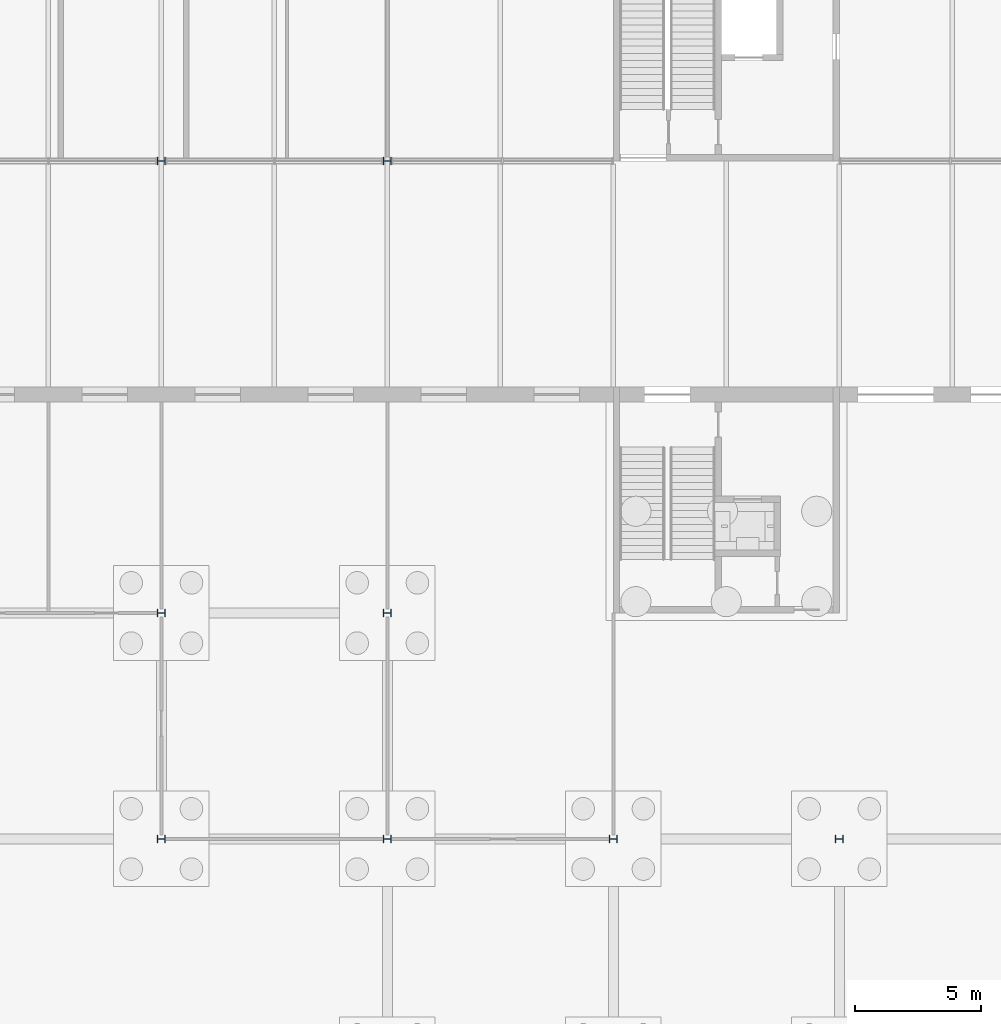
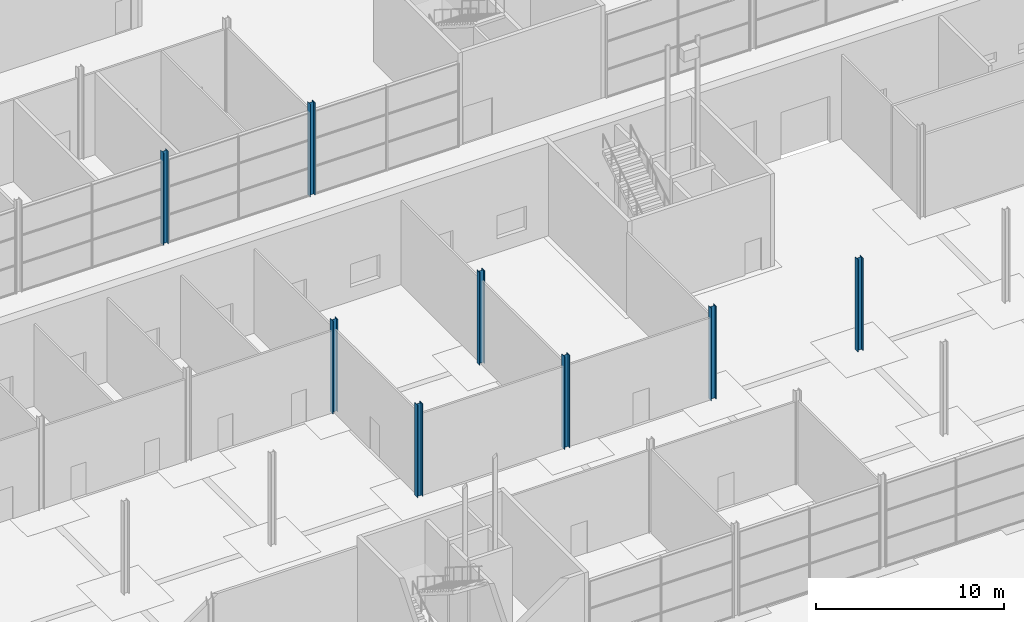
# One storey, part 19 of 97: 8 columns.
"""IFC4 building model written with IfcOpenShell, lengths in metres."""

from ifc_helpers import new_model, si_unit, direction, frame, origin, origin_2d, place, context, subcontext, project, spatial, i_section, extrude, material, material_profile, profile_set, type_object, element, save


model = new_model("IFC4")

# Units and contexts
model_context = context("Model", 3, precision=1e-05, world=origin(), true_north=direction((0.0, 1.0)))
body_context = subcontext(model_context, "Body", "Model", "MODEL_VIEW")
ifc_project = project(units=[si_unit("LENGTHUNIT", "METRE"), si_unit("AREAUNIT", "SQUARE_METRE"), si_unit("VOLUMEUNIT", "CUBIC_METRE"), si_unit("PLANEANGLEUNIT", "RADIAN"), si_unit("MASSUNIT", "GRAM", prefix="KILO")], contexts=[model_context])

# Site, building, storey
site_placement = place(None, origin())
site = spatial("IfcSite", under=ifc_project, at=site_placement, CompositionType="ELEMENT")
building_placement = place(site_placement, origin())
building = spatial("IfcBuilding", under=site, at=building_placement, Name="Corbel Yard City Hall", CompositionType="ELEMENT")
storey_placement = place(building_placement, origin())
storey = spatial("IfcBuildingStorey", under=building, at=storey_placement, Name="L00", CompositionType="ELEMENT", Elevation=0.0)

# Columns
ifc_material = material(Name="Steel Grade 300 (300 MPa yield)", Category="steel")
ifc_material_profile_1 = material_profile(ifc_material, i_section(OverallWidth=0.306884765625, OverallDepth=0.31494140625, WebThickness=0.011962890625, FlangeThickness=0.018798828125, at=origin_2d()), Name="310UC118")
ifc_profile_set_1 = profile_set([ifc_material_profile_1], Name="Steel Grade 300 (300 MPa yield)")
column_type_1 = type_object("IfcColumnType", Name="Column 310UC118", PredefinedType="COLUMN", material=ifc_profile_set_1)
for number, where, z_axis, x_axis, name in (
    (1, (63.0, 90.0, 0.0), (0.0, 0.0, 1.0), (0.0, 1.0, 0.0), "Column 310UC118 K/8 L00"),
    (2, (72.0, 90.0, 0.0), (0.0, 0.0, 1.0), (0.0, 1.0, 0.0), "Column 310UC118 K/9 L00"),
):
    element("IfcColumn", number, at=place(storey_placement, frame(where, z_axis=z_axis, x_axis=x_axis)), inside=storey, type_object=column_type_1, Name=name, PredefinedType="COLUMN", context=body_context, shape_type="SweptSolid", body=[
        extrude(i_section(OverallWidth=0.306884765625, OverallDepth=0.31494140625, WebThickness=0.011962890625, FlangeThickness=0.018798828125, at=origin_2d()), origin(), (0.0, 0.0, 1.0), 6.0),
    ])
ifc_material_profile_2 = material_profile(ifc_material, i_section(OverallWidth=0.31103515625, OverallDepth=0.326904296875, WebThickness=0.015625, FlangeThickness=0.02490234375, at=origin_2d()), Name="310UC158")
ifc_profile_set_2 = profile_set([ifc_material_profile_2], Name="Steel Grade 300 (300 MPa yield)")
column_type_2 = type_object("IfcColumnType", Name="Column 310UC158", PredefinedType="COLUMN", material=ifc_profile_set_2)
for number, where, z_axis, x_axis, name in (
    (3, (63.0, 63.0, 0.0), (0.0, 0.0, 1.0), (0.0, 1.0, 0.0), "Column 310UC158 H/8 L00"),
    (4, (63.0, 72.0, 0.0), (0.0, 0.0, 1.0), (0.0, 1.0, 0.0), "Column 310UC158 I/8 L00"),
    (5, (72.0, 63.0, 0.0), (0.0, 0.0, 1.0), (0.0, 1.0, 0.0), "Column 310UC158 H/9 L00"),
    (6, (72.0, 72.0, 0.0), (0.0, 0.0, 1.0), (0.0, 1.0, 0.0), "Column 310UC158 I/9 L00"),
    (7, (81.0, 63.0, 0.0), (0.0, 0.0, 1.0), (0.0, 1.0, 0.0), "Column 310UC158 H/10 L00"),
    (8, (90.0, 63.0, 0.0), (0.0, 0.0, 1.0), (0.0, 1.0, 0.0), "Column 310UC158 H/11 L00"),
):
    element("IfcColumn", number, at=place(storey_placement, frame(where, z_axis=z_axis, x_axis=x_axis)), inside=storey, type_object=column_type_2, Name=name, PredefinedType="COLUMN", context=body_context, shape_type="SweptSolid", body=[
        extrude(i_section(OverallWidth=0.31103515625, OverallDepth=0.326904296875, WebThickness=0.015625, FlangeThickness=0.02490234375, at=origin_2d()), origin(), (0.0, 0.0, 1.0), 6.0),
    ])

save(model, "model.ifc")
